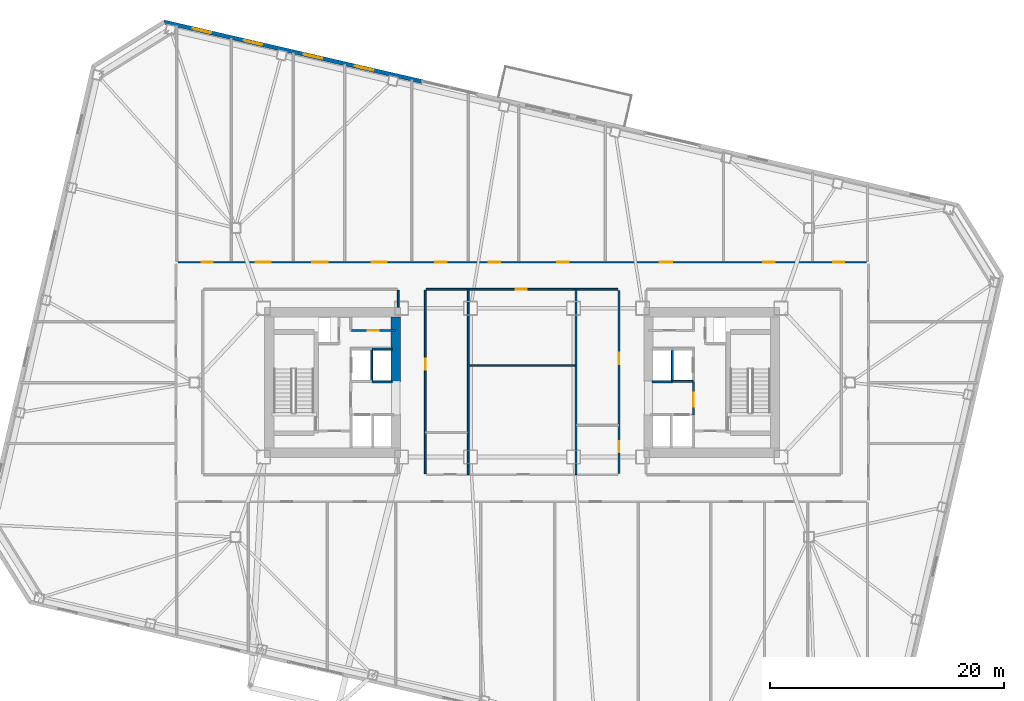
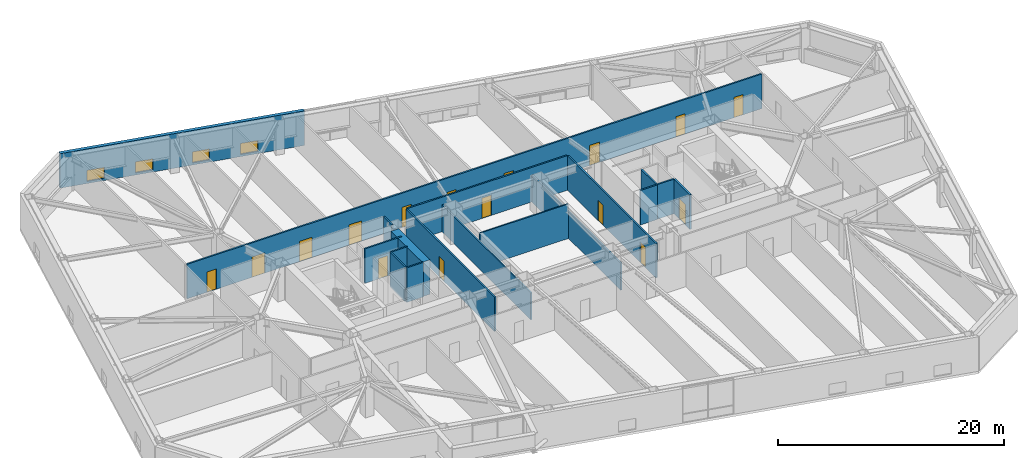
# One storey, part 12 of 20: 18 walls, 16 doors, 4 windows, 20 openings.
"""IFC4 building model written with IfcOpenShell, lengths in metres."""

from ifc_helpers import new_model, si_unit, direction, frame, frame_2d, origin, place, context, subcontext, project, spatial, rectangle, extrude, material, layer, layer_set, type_object, element, fill, save


model = new_model("IFC4")

# Units and contexts
model_context = context("Model", 3, precision=1e-05, world=origin(), true_north=direction((0.0, 1.0)))
body_context = subcontext(model_context, "Body", "Model", "MODEL_VIEW")
ifc_project = project(units=[si_unit("LENGTHUNIT", "METRE"), si_unit("AREAUNIT", "SQUARE_METRE"), si_unit("VOLUMEUNIT", "CUBIC_METRE"), si_unit("PLANEANGLEUNIT", "RADIAN"), si_unit("MASSUNIT", "GRAM", prefix="KILO")], contexts=[model_context])

# Site, building, storey
site_placement = place(None, origin())
site = spatial("IfcSite", under=ifc_project, at=site_placement, CompositionType="ELEMENT")
building_placement = place(site_placement, origin())
building = spatial("IfcBuilding", under=site, at=building_placement, Name="Tavrogorsk Clinical Tower", CompositionType="ELEMENT")
storey_placement = place(building_placement, frame((0.0, 0.0, 39.39990234375)))
storey = spatial("IfcBuildingStorey", under=building, at=storey_placement, Name="L07", CompositionType="ELEMENT", Elevation=39.39990234375)

# Wall, opening, door
ifc_material_1 = material(Name="Concrete B60", Category="concrete")
ifc_layer_1 = layer(ifc_material_1, 0.199951171875)
ifc_layer_set_1 = layer_set([ifc_layer_1], Name="Concrete B60")
wall_type_1 = type_object("IfcWallType", Name="CoreFireWall_200", PredefinedType="SOLIDWALL", material=ifc_layer_set_1)
wall_1_placement = place(storey_placement, frame((14.639892578125, -2.780029296875, 0.0), z_axis=(0.0, 0.0, 1.0), x_axis=(0.0, 1.0, 0.0)))
wall_1 = element("IfcWall", 1, at=wall_1_placement, inside=storey, type_object=wall_type_1, Name="L07 Core East Firefighting Lobby Fire Wall", PredefinedType="SOLIDWALL", context=body_context, shape_type="SweptSolid", body=[
    extrude(rectangle(XDim=2.820068359375, YDim=0.199951171875, at=frame_2d((1.41015625, 0.0))), origin(), (0.0, 0.0, 1.0), 3.739990234375),
])
opening_1_placement = place(wall_1_placement, frame((0.72998046875, 0.0, 0.0)))
opening_1 = element("IfcOpeningElement", 2, at=opening_1_placement, cuts=wall_1, Name="Opening FD-01", PredefinedType="OPENING", context=body_context, shape_type="SweptSolid", body=[
    extrude(rectangle(XDim=1.199951171875, YDim=2.199951171875, at=frame_2d((0.60009765625, 1.10009765625))), frame((0.0, 0.10986328125, 0.0), z_axis=(0.0, -1.0, 0.0), x_axis=(1.0, 0.0, 0.0)), (0.0, 0.0, 1.0), 0.219970703125),
])
ifc_material_2 = material(Name="Galvanised steel fire-rated door assembly", Category="steel")
door_type_1 = type_object("IfcDoorType", Name="FireDoor_FD01_1200", OperationType="NOTDEFINED", PredefinedType="DOOR", material=ifc_material_2)
door_1_placement = place(opening_1_placement, origin())
door_1 = element("IfcDoor", 3, at=door_1_placement, inside=storey, type_object=door_type_1, Name="L07 Core East Firefighting Lobby Entry Door", OperationType="SINGLE_SWING_RIGHT", OverallHeight=2.199951171875, OverallWidth=1.199951171875, PredefinedType="DOOR", context=body_context, shape_type="SweptSolid", body=[
    extrude(rectangle(XDim=1.199951171875, YDim=2.199951171875, at=frame_2d((0.60009765625, 1.10009765625))), frame((0.0, 0.02490234375, 0.0), z_axis=(0.0, -1.0, 0.0), x_axis=(1.0, 0.0, 0.0)), (0.0, 0.0, 1.0), 0.050048828125),
])
fill(opening_1, door_1)

# Walls
ifc_material_3 = material(Name="Lightweight concrete blockwork B15", Category="masonry")
ifc_layer_2 = layer(ifc_material_3, 0.139892578125)
ifc_layer_set_2 = layer_set([ifc_layer_2], Name="Lightweight concrete blockwork B15")
wall_type_2 = type_object("IfcWallType", Name="PartitionWall_140", PredefinedType="PARTITIONING", material=ifc_layer_set_2)
for number, where, z_axis, x_axis, name in (
    (4, (-4.60009765625, -7.864990234375, 0.0), (0.0, 0.0, 1.0), (0.0, 1.0, 0.0), "L07 Central Spine Partition 1"),
    (5, (4.60009765625, -7.864990234375, 0.0), (0.0, 0.0, 1.0), (0.0, 1.0, 0.0), "L07 Central Spine Partition 2"),
):
    element("IfcWall", number, at=place(storey_placement, frame(where, z_axis=z_axis, x_axis=x_axis)), inside=storey, type_object=wall_type_2, Name=name, PredefinedType="PARTITIONING", context=body_context, shape_type="SweptSolid", body=[
        extrude(rectangle(XDim=15.830078125, YDim=0.139892578125, at=frame_2d((7.9150390625, 0.0))), origin(), (0.0, 0.0, 1.0), 2.93505859375),
    ])
wall_2_placement = place(storey_placement, frame((-4.52490234375, 1.449951171875, 0.0), z_axis=(0.0, 0.0, 1.0), x_axis=(1.0, 0.0, 0.0)))
element("IfcWall", 6, at=wall_2_placement, inside=storey, type_object=wall_type_2, Name="L07 Central Spine Partition 3", PredefinedType="PARTITIONING", context=body_context, shape_type="SweptSolid", body=[
    extrude(rectangle(XDim=9.0498046875, YDim=0.139892578125, at=frame_2d((4.52490234375, 0.0))), origin(), (0.0, 0.0, 1.0), 3.739990234375),
])

# Wall, opening, door
ifc_material_4 = material(Name="Lightweight concrete blockwork B15", Category="masonry")
ifc_layer_3 = layer(ifc_material_4, 0.159912109375)
ifc_layer_set_3 = layer_set([ifc_layer_3], Name="Lightweight concrete blockwork B15")
wall_type_3 = type_object("IfcWallType", Name="PartitionWall_160", PredefinedType="PARTITIONING", material=ifc_layer_set_3)
wall_3_placement = place(storey_placement, frame((-14.554931640625, 4.4599609375, 0.0), z_axis=(0.0, 0.0, 1.0), x_axis=(1.0, 0.0, 0.0)))
wall_3 = element("IfcWall", 7, at=wall_3_placement, inside=storey, type_object=wall_type_3, Name="L07 Core West Pneumatic Dispatch South Wall", PredefinedType="PARTITIONING", context=body_context, shape_type="SweptSolid", body=[
    extrude(rectangle(XDim=3.7548828125, YDim=0.159912109375, at=frame_2d((1.87744140625, 0.0))), origin(), (0.0, 0.0, 1.0), 3.739990234375),
])
opening_2_placement = place(wall_3_placement, frame((1.35009765625, 0.0, 0.0)))
opening_2 = element("IfcOpeningElement", 8, at=opening_2_placement, cuts=wall_3, Name="Opening ID-02", PredefinedType="OPENING", context=body_context, shape_type="SweptSolid", body=[
    extrude(rectangle(XDim=0.949951171875, YDim=2.199951171875, at=frame_2d((0.47509765625, 1.10009765625))), frame((0.0, 0.08984375, 0.0), z_axis=(0.0, -1.0, 0.0), x_axis=(1.0, 0.0, 0.0)), (0.0, 0.0, 1.0), 0.179931640625),
])
ifc_material_5 = material(Name="Laminated timber leaf on aluminium frame", Category="wood")
door_type_2 = type_object("IfcDoorType", Name="InteriorDoor_ID02_950", OperationType="NOTDEFINED", PredefinedType="DOOR", material=ifc_material_5)
door_2_placement = place(opening_2_placement, origin())
door_2 = element("IfcDoor", 9, at=door_2_placement, inside=storey, type_object=door_type_2, Name="L07 Core West Pneumatic Dispatch Door", OperationType="SINGLE_SWING_LEFT", OverallHeight=2.199951171875, OverallWidth=0.949951171875, PredefinedType="DOOR", context=body_context, shape_type="SweptSolid", body=[
    extrude(rectangle(XDim=0.949951171875, YDim=2.199951171875, at=frame_2d((0.47509765625, 1.10009765625))), frame((0.0, 0.02490234375, 0.0), z_axis=(0.0, -1.0, 0.0), x_axis=(1.0, 0.0, 0.0)), (0.0, 0.0, 1.0), 0.050048828125),
])
fill(opening_2, door_2)

# Wall, openings, doors
wall_4_placement = place(storey_placement, frame((-29.4150390625, 10.280029296875, 0.0), z_axis=(0.0, 0.0, 1.0), x_axis=(1.0, 0.0, 0.0)))
wall_4 = element("IfcWall", 10, at=wall_4_placement, inside=storey, type_object=wall_type_3, Name="L07 Corridor Partition 02", PredefinedType="PARTITIONING", context=body_context, shape_type="SweptSolid", body=[
    extrude(rectangle(XDim=58.830078125, YDim=0.159912109375, at=frame_2d((29.4150390625, 0.0))), origin(), (0.0, 0.0, 1.0), 3.739990234375),
])
opening_3_placement = place(wall_4_placement, frame((2.044189453125, 0.0, 0.0)))
opening_3 = element("IfcOpeningElement", 11, at=opening_3_placement, cuts=wall_4, Name="Opening ID-02", PredefinedType="OPENING", context=body_context, shape_type="SweptSolid", body=[
    extrude(rectangle(XDim=0.949951171875, YDim=2.199951171875, at=frame_2d((0.47509765625, 1.10009765625))), frame((0.0, 0.08984375, 0.0), z_axis=(0.0, -1.0, 0.0), x_axis=(1.0, 0.0, 0.0)), (0.0, 0.0, 1.0), 0.179931640625),
])
opening_4_placement = place(wall_4_placement, frame((6.6474609375, 0.0, 0.0)))
opening_4 = element("IfcOpeningElement", 12, at=opening_4_placement, cuts=wall_4, Name="Opening ID-01", PredefinedType="OPENING", context=body_context, shape_type="SweptSolid", body=[
    extrude(rectangle(XDim=1.300048828125, YDim=2.199951171875, at=frame_2d((0.64990234375, 1.10009765625))), frame((0.0, 0.08984375, 0.0), z_axis=(0.0, -1.0, 0.0), x_axis=(1.0, 0.0, 0.0)), (0.0, 0.0, 1.0), 0.179931640625),
])
opening_5_placement = place(wall_4_placement, frame((11.492431640625, 0.0, 0.0)))
opening_5 = element("IfcOpeningElement", 13, at=opening_5_placement, cuts=wall_4, Name="Opening ID-01", PredefinedType="OPENING", context=body_context, shape_type="SweptSolid", body=[
    extrude(rectangle(XDim=1.300048828125, YDim=2.199951171875, at=frame_2d((0.64990234375, 1.10009765625))), frame((0.0, 0.08984375, 0.0), z_axis=(0.0, -1.0, 0.0), x_axis=(1.0, 0.0, 0.0)), (0.0, 0.0, 1.0), 0.179931640625),
])
opening_6_placement = place(wall_4_placement, frame((16.554931640625, 0.0, 0.0)))
opening_6 = element("IfcOpeningElement", 14, at=opening_6_placement, cuts=wall_4, Name="Opening ID-01", PredefinedType="OPENING", context=body_context, shape_type="SweptSolid", body=[
    extrude(rectangle(XDim=1.300048828125, YDim=2.199951171875, at=frame_2d((0.64990234375, 1.10009765625))), frame((0.0, 0.08984375, 0.0), z_axis=(0.0, -1.0, 0.0), x_axis=(1.0, 0.0, 0.0)), (0.0, 0.0, 1.0), 0.179931640625),
])
opening_7_placement = place(wall_4_placement, frame((22.010009765625, 0.0, 0.0)))
opening_7 = element("IfcOpeningElement", 15, at=opening_7_placement, cuts=wall_4, Name="Opening ID-02", PredefinedType="OPENING", context=body_context, shape_type="SweptSolid", body=[
    extrude(rectangle(XDim=0.949951171875, YDim=2.199951171875, at=frame_2d((0.47509765625, 1.10009765625))), frame((0.0, 0.08984375, 0.0), z_axis=(0.0, -1.0, 0.0), x_axis=(1.0, 0.0, 0.0)), (0.0, 0.0, 1.0), 0.179931640625),
])
opening_8_placement = place(wall_4_placement, frame((26.580078125, 0.0, 0.0)))
opening_8 = element("IfcOpeningElement", 16, at=opening_8_placement, cuts=wall_4, Name="Opening ID-02", PredefinedType="OPENING", context=body_context, shape_type="SweptSolid", body=[
    extrude(rectangle(XDim=0.949951171875, YDim=2.199951171875, at=frame_2d((0.47509765625, 1.10009765625))), frame((0.0, 0.08984375, 0.0), z_axis=(0.0, -1.0, 0.0), x_axis=(1.0, 0.0, 0.0)), (0.0, 0.0, 1.0), 0.179931640625),
])
opening_9_placement = place(wall_4_placement, frame((32.43505859375, 0.0, 0.0)))
opening_9 = element("IfcOpeningElement", 17, at=opening_9_placement, cuts=wall_4, Name="Opening ID-02", PredefinedType="OPENING", context=body_context, shape_type="SweptSolid", body=[
    extrude(rectangle(XDim=0.949951171875, YDim=2.199951171875, at=frame_2d((0.47509765625, 1.10009765625))), frame((0.0, 0.08984375, 0.0), z_axis=(0.0, -1.0, 0.0), x_axis=(1.0, 0.0, 0.0)), (0.0, 0.0, 1.0), 0.179931640625),
])
opening_10_placement = place(wall_4_placement, frame((41.179931640625, 0.0, 0.0)))
opening_10 = element("IfcOpeningElement", 18, at=opening_10_placement, cuts=wall_4, Name="Opening ID-04", PredefinedType="OPENING", context=body_context, shape_type="SweptSolid", body=[
    extrude(rectangle(XDim=1.050048828125, YDim=2.199951171875, at=frame_2d((0.52490234375, 1.10009765625))), frame((0.0, 0.08984375, 0.0), z_axis=(0.0, -1.0, 0.0), x_axis=(1.0, 0.0, 0.0)), (0.0, 0.0, 1.0), 0.179931640625),
])
opening_11_placement = place(wall_4_placement, frame((50.02490234375, 0.0, 0.0)))
opening_11 = element("IfcOpeningElement", 19, at=opening_11_placement, cuts=wall_4, Name="Opening ID-02", PredefinedType="OPENING", context=body_context, shape_type="SweptSolid", body=[
    extrude(rectangle(XDim=0.949951171875, YDim=2.199951171875, at=frame_2d((0.47509765625, 1.10009765625))), frame((0.0, 0.08984375, 0.0), z_axis=(0.0, -1.0, 0.0), x_axis=(1.0, 0.0, 0.0)), (0.0, 0.0, 1.0), 0.179931640625),
])
opening_12_placement = place(wall_4_placement, frame((55.98095703125, 0.0, 0.0)))
opening_12 = element("IfcOpeningElement", 20, at=opening_12_placement, cuts=wall_4, Name="Opening ID-02", PredefinedType="OPENING", context=body_context, shape_type="SweptSolid", body=[
    extrude(rectangle(XDim=0.949951171875, YDim=2.199951171875, at=frame_2d((0.47509765625, 1.10009765625))), frame((0.0, 0.08984375, 0.0), z_axis=(0.0, -1.0, 0.0), x_axis=(1.0, 0.0, 0.0)), (0.0, 0.0, 1.0), 0.179931640625),
])
ifc_material_6 = material(Name="Antibacterial HPL consultation door on aluminium frame", Category="aluminium")
door_type_3 = type_object("IfcDoorType", Name="ConsultDoor_ID04_1050", OperationType="NOTDEFINED", PredefinedType="DOOR", material=ifc_material_6)
door_3_placement = place(opening_10_placement, origin())
door_3 = element("IfcDoor", 21, at=door_3_placement, inside=storey, type_object=door_type_3, Name="L07 North Clinical Examination Suite 06 Door", OperationType="SINGLE_SWING_RIGHT", OverallHeight=2.199951171875, OverallWidth=1.050048828125, PredefinedType="DOOR", context=body_context, shape_type="SweptSolid", body=[
    extrude(rectangle(XDim=1.050048828125, YDim=2.199951171875, at=frame_2d((0.52490234375, 1.10009765625))), frame((0.0, 0.02490234375, 0.0), z_axis=(0.0, -1.0, 0.0), x_axis=(1.0, 0.0, 0.0)), (0.0, 0.0, 1.0), 0.050048828125),
])
fill(opening_10, door_3)
door_4_placement = place(opening_3_placement, origin())
door_4 = element("IfcDoor", 22, at=door_4_placement, inside=storey, type_object=door_type_2, Name="L07 North Patient & Family Quiet Lounge 01 Door", OperationType="SINGLE_SWING_LEFT", OverallHeight=2.199951171875, OverallWidth=0.949951171875, PredefinedType="DOOR", context=body_context, shape_type="SweptSolid", body=[
    extrude(rectangle(XDim=0.949951171875, YDim=2.199951171875, at=frame_2d((0.47509765625, 1.10009765625))), frame((0.0, 0.02490234375, 0.0), z_axis=(0.0, -1.0, 0.0), x_axis=(1.0, 0.0, 0.0)), (0.0, 0.0, 1.0), 0.050048828125),
])
fill(opening_3, door_4)
door_5_placement = place(opening_7_placement, origin())
door_5 = element("IfcDoor", 23, at=door_5_placement, inside=storey, type_object=door_type_2, Name="L07 North Physician Consultation Office 03B Door", OperationType="SINGLE_SWING_LEFT", OverallHeight=2.199951171875, OverallWidth=0.949951171875, PredefinedType="DOOR", context=body_context, shape_type="SweptSolid", body=[
    extrude(rectangle(XDim=0.949951171875, YDim=2.199951171875, at=frame_2d((0.47509765625, 1.10009765625))), frame((0.0, 0.02490234375, 0.0), z_axis=(0.0, -1.0, 0.0), x_axis=(1.0, 0.0, 0.0)), (0.0, 0.0, 1.0), 0.050048828125),
])
fill(opening_7, door_5)
door_6_placement = place(opening_8_placement, origin())
door_6 = element("IfcDoor", 24, at=door_6_placement, inside=storey, type_object=door_type_2, Name="L07 North Multidisciplinary Case Room 04 Door", OperationType="SINGLE_SWING_RIGHT", OverallHeight=2.199951171875, OverallWidth=0.949951171875, PredefinedType="DOOR", context=body_context, shape_type="SweptSolid", body=[
    extrude(rectangle(XDim=0.949951171875, YDim=2.199951171875, at=frame_2d((0.47509765625, 1.10009765625))), frame((0.0, 0.02490234375, 0.0), z_axis=(0.0, -1.0, 0.0), x_axis=(1.0, 0.0, 0.0)), (0.0, 0.0, 1.0), 0.050048828125),
])
fill(opening_8, door_6)
door_7_placement = place(opening_9_placement, origin())
door_7 = element("IfcDoor", 25, at=door_7_placement, inside=storey, type_object=door_type_2, Name="L07 Terrace Recuperation Day Room & Lounge Door", OperationType="SINGLE_SWING_LEFT", OverallHeight=2.199951171875, OverallWidth=0.949951171875, PredefinedType="DOOR", context=body_context, shape_type="SweptSolid", body=[
    extrude(rectangle(XDim=0.949951171875, YDim=2.199951171875, at=frame_2d((0.47509765625, 1.10009765625))), frame((0.0, 0.02490234375, 0.0), z_axis=(0.0, -1.0, 0.0), x_axis=(1.0, 0.0, 0.0)), (0.0, 0.0, 1.0), 0.050048828125),
])
fill(opening_9, door_7)
door_8_placement = place(opening_11_placement, origin())
door_8 = element("IfcDoor", 26, at=door_8_placement, inside=storey, type_object=door_type_2, Name="L07 North Diagnostic Ultrasound Suite 07 Door", OperationType="SINGLE_SWING_LEFT", OverallHeight=2.199951171875, OverallWidth=0.949951171875, PredefinedType="DOOR", context=body_context, shape_type="SweptSolid", body=[
    extrude(rectangle(XDim=0.949951171875, YDim=2.199951171875, at=frame_2d((0.47509765625, 1.10009765625))), frame((0.0, 0.02490234375, 0.0), z_axis=(0.0, -1.0, 0.0), x_axis=(1.0, 0.0, 0.0)), (0.0, 0.0, 1.0), 0.050048828125),
])
fill(opening_11, door_8)
door_9_placement = place(opening_12_placement, origin())
door_9 = element("IfcDoor", 27, at=door_9_placement, inside=storey, type_object=door_type_2, Name="L07 North Physiotherapy Rehab Studio 08 Door", OperationType="SINGLE_SWING_RIGHT", OverallHeight=2.199951171875, OverallWidth=0.949951171875, PredefinedType="DOOR", context=body_context, shape_type="SweptSolid", body=[
    extrude(rectangle(XDim=0.949951171875, YDim=2.199951171875, at=frame_2d((0.47509765625, 1.10009765625))), frame((0.0, 0.02490234375, 0.0), z_axis=(0.0, -1.0, 0.0), x_axis=(1.0, 0.0, 0.0)), (0.0, 0.0, 1.0), 0.050048828125),
])
fill(opening_12, door_9)
ifc_material_7 = material(Name="Antibacterial HPL medical leaf on aluminium frame", Category="aluminium")
door_type_4 = type_object("IfcDoorType", Name="WardBedDoor_ID01_1300", OperationType="NOTDEFINED", PredefinedType="DOOR", material=ifc_material_7)
door_10_placement = place(opening_4_placement, origin())
door_10 = element("IfcDoor", 28, at=door_10_placement, inside=storey, type_object=door_type_4, Name="L07 North Acute Isolation Suite 02A Door", OperationType="SINGLE_SWING_RIGHT", OverallHeight=2.199951171875, OverallWidth=1.300048828125, PredefinedType="DOOR", context=body_context, shape_type="SweptSolid", body=[
    extrude(rectangle(XDim=1.300048828125, YDim=2.199951171875, at=frame_2d((0.64990234375, 1.10009765625))), frame((0.0, 0.02490234375, 0.0), z_axis=(0.0, -1.0, 0.0), x_axis=(1.0, 0.0, 0.0)), (0.0, 0.0, 1.0), 0.050048828125),
])
fill(opening_4, door_10)
door_11_placement = place(opening_5_placement, origin())
door_11 = element("IfcDoor", 29, at=door_11_placement, inside=storey, type_object=door_type_4, Name="L07 North Step-Down Telemetry Ward 02B Door", OperationType="SINGLE_SWING_LEFT", OverallHeight=2.199951171875, OverallWidth=1.300048828125, PredefinedType="DOOR", context=body_context, shape_type="SweptSolid", body=[
    extrude(rectangle(XDim=1.300048828125, YDim=2.199951171875, at=frame_2d((0.64990234375, 1.10009765625))), frame((0.0, 0.02490234375, 0.0), z_axis=(0.0, -1.0, 0.0), x_axis=(1.0, 0.0, 0.0)), (0.0, 0.0, 1.0), 0.050048828125),
])
fill(opening_5, door_11)
door_12_placement = place(opening_6_placement, origin())
door_12 = element("IfcDoor", 30, at=door_12_placement, inside=storey, type_object=door_type_4, Name="L07 North Sub-Acute Recovery Ward 03A Door", OperationType="SINGLE_SWING_RIGHT", OverallHeight=2.199951171875, OverallWidth=1.300048828125, PredefinedType="DOOR", context=body_context, shape_type="SweptSolid", body=[
    extrude(rectangle(XDim=1.300048828125, YDim=2.199951171875, at=frame_2d((0.64990234375, 1.10009765625))), frame((0.0, 0.02490234375, 0.0), z_axis=(0.0, -1.0, 0.0), x_axis=(1.0, 0.0, 0.0)), (0.0, 0.0, 1.0), 0.050048828125),
])
fill(opening_6, door_12)

wall_5_placement = place(storey_placement, frame((8.27001953125, -7.784912109375, 0.0), z_axis=(0.0, 0.0, 1.0), x_axis=(0.0, 1.0, 0.0)))
wall_5 = element("IfcWall", 31, at=wall_5_placement, inside=storey, type_object=wall_type_3, Name="L07 Corridor Partition 10", PredefinedType="PARTITIONING", context=body_context, shape_type="SweptSolid", body=[
    extrude(rectangle(XDim=15.669921875, YDim=0.159912109375, at=frame_2d((7.8349609375, 0.0))), origin(), (0.0, 0.0, 1.0), 3.739990234375),
])
opening_13_placement = place(wall_5_placement, frame((1.8291015625, 0.0, 0.0)))
opening_13 = element("IfcOpeningElement", 32, at=opening_13_placement, cuts=wall_5, Name="Opening ID-02", PredefinedType="OPENING", context=body_context, shape_type="SweptSolid", body=[
    extrude(rectangle(XDim=0.949951171875, YDim=2.199951171875, at=frame_2d((0.47509765625, 1.10009765625))), frame((0.0, 0.08984375, 0.0), z_axis=(0.0, -1.0, 0.0), x_axis=(1.0, 0.0, 0.0)), (0.0, 0.0, 1.0), 0.179931640625),
])
opening_14_placement = place(wall_5_placement, frame((9.36083984375, 0.0, 0.0)))
opening_14 = element("IfcOpeningElement", 33, at=opening_14_placement, cuts=wall_5, Name="Opening ID-02", PredefinedType="OPENING", context=body_context, shape_type="SweptSolid", body=[
    extrude(rectangle(XDim=0.949951171875, YDim=2.199951171875, at=frame_2d((0.47509765625, 1.10009765625))), frame((0.0, 0.08984375, 0.0), z_axis=(0.0, -1.0, 0.0), x_axis=(1.0, 0.0, 0.0)), (0.0, 0.0, 1.0), 0.179931640625),
])
door_13_placement = place(opening_13_placement, origin())
door_13 = element("IfcDoor", 34, at=door_13_placement, inside=storey, type_object=door_type_2, Name="L07 Staff & Visitor Accessible WC Door", OperationType="SINGLE_SWING_LEFT", OverallHeight=2.199951171875, OverallWidth=0.949951171875, PredefinedType="DOOR", context=body_context, shape_type="SweptSolid", body=[
    extrude(rectangle(XDim=0.949951171875, YDim=2.199951171875, at=frame_2d((0.47509765625, 1.10009765625))), frame((0.0, 0.02490234375, 0.0), z_axis=(0.0, -1.0, 0.0), x_axis=(1.0, 0.0, 0.0)), (0.0, 0.0, 1.0), 0.050048828125),
])
fill(opening_13, door_13)
door_14_placement = place(opening_14_placement, origin())
door_14 = element("IfcDoor", 35, at=door_14_placement, inside=storey, type_object=door_type_2, Name="L07 Attending Physician Office Door", OperationType="SINGLE_SWING_RIGHT", OverallHeight=2.199951171875, OverallWidth=0.949951171875, PredefinedType="DOOR", context=body_context, shape_type="SweptSolid", body=[
    extrude(rectangle(XDim=0.949951171875, YDim=2.199951171875, at=frame_2d((0.47509765625, 1.10009765625))), frame((0.0, 0.02490234375, 0.0), z_axis=(0.0, -1.0, 0.0), x_axis=(1.0, 0.0, 0.0)), (0.0, 0.0, 1.0), 0.050048828125),
])
fill(opening_14, door_14)

# Wall, opening, door
wall_6_placement = place(storey_placement, frame((8.18505859375, 7.969970703125, 0.0), z_axis=(0.0, 0.0, 1.0), x_axis=(-1.0, 0.0, 0.0)))
wall_6 = element("IfcWall", 36, at=wall_6_placement, inside=storey, type_object=wall_type_3, Name="L07 Corridor Partition 11", PredefinedType="PARTITIONING", context=body_context, shape_type="SweptSolid", body=[
    extrude(rectangle(XDim=16.3701171875, YDim=0.159912109375, at=frame_2d((8.18505859375, 0.0))), origin(), (0.0, 0.0, 1.0), 3.739990234375),
])
opening_15_placement = place(wall_6_placement, frame((7.794921875, 0.0, 0.0)))
opening_15 = element("IfcOpeningElement", 37, at=opening_15_placement, cuts=wall_6, Name="Opening ID-02", PredefinedType="OPENING", context=body_context, shape_type="SweptSolid", body=[
    extrude(rectangle(XDim=0.949951171875, YDim=2.199951171875, at=frame_2d((0.47509765625, 1.10009765625))), frame((0.0, 0.08984375, 0.0), z_axis=(0.0, -1.0, 0.0), x_axis=(1.0, 0.0, 0.0)), (0.0, 0.0, 1.0), 0.179931640625),
])
door_15_placement = place(opening_15_placement, origin())
door_15 = element("IfcDoor", 38, at=door_15_placement, inside=storey, type_object=door_type_2, Name="L07 Nurses' Station & Triage Hub Door", OperationType="SINGLE_SWING_RIGHT", OverallHeight=2.199951171875, OverallWidth=0.949951171875, PredefinedType="DOOR", context=body_context, shape_type="SweptSolid", body=[
    extrude(rectangle(XDim=0.949951171875, YDim=2.199951171875, at=frame_2d((0.47509765625, 1.10009765625))), frame((0.0, 0.02490234375, 0.0), z_axis=(0.0, -1.0, 0.0), x_axis=(1.0, 0.0, 0.0)), (0.0, 0.0, 1.0), 0.050048828125),
])
fill(opening_15, door_15)

wall_7_placement = place(storey_placement, frame((-8.27001953125, 7.885009765625, 0.0), z_axis=(0.0, 0.0, 1.0), x_axis=(0.0, -1.0, 0.0)))
wall_7 = element("IfcWall", 39, at=wall_7_placement, inside=storey, type_object=wall_type_3, Name="L07 Corridor Partition 12", PredefinedType="PARTITIONING", context=body_context, shape_type="SweptSolid", body=[
    extrude(rectangle(XDim=15.669921875, YDim=0.159912109375, at=frame_2d((7.8349609375, 0.0))), origin(), (0.0, 0.0, 1.0), 3.739990234375),
])
opening_16_placement = place(wall_7_placement, frame((5.8291015625, 0.0, 0.0)))
opening_16 = element("IfcOpeningElement", 40, at=opening_16_placement, cuts=wall_7, Name="Opening ID-02", PredefinedType="OPENING", context=body_context, shape_type="SweptSolid", body=[
    extrude(rectangle(XDim=0.949951171875, YDim=2.199951171875, at=frame_2d((0.47509765625, 1.10009765625))), frame((0.0, 0.08984375, 0.0), z_axis=(0.0, -1.0, 0.0), x_axis=(1.0, 0.0, 0.0)), (0.0, 0.0, 1.0), 0.179931640625),
])
door_16_placement = place(opening_16_placement, origin())
door_16 = element("IfcDoor", 41, at=door_16_placement, inside=storey, type_object=door_type_2, Name="L07 Ward Nourishment Pantry Door", OperationType="SINGLE_SWING_RIGHT", OverallHeight=2.199951171875, OverallWidth=0.949951171875, PredefinedType="DOOR", context=body_context, shape_type="SweptSolid", body=[
    extrude(rectangle(XDim=0.949951171875, YDim=2.199951171875, at=frame_2d((0.47509765625, 1.10009765625))), frame((0.0, 0.02490234375, 0.0), z_axis=(0.0, -1.0, 0.0), x_axis=(1.0, 0.0, 0.0)), (0.0, 0.0, 1.0), 0.050048828125),
])
fill(opening_16, door_16)

# Wall
wall_8_placement = place(storey_placement, frame((-10.580078125, 6.419921875, 0.0), z_axis=(0.0, 0.0, 1.0), x_axis=(0.0, 1.0, 0.0)))
element("IfcWall", 42, at=wall_8_placement, inside=storey, type_object=wall_type_3, Name="L07 Corridor Partition 15", PredefinedType="PARTITIONING", context=body_context, shape_type="SweptSolid", body=[
    extrude(rectangle(XDim=1.465087890625, YDim=0.159912109375, at=frame_2d((0.732421875, 0.0))), origin(), (0.0, 0.0, 1.0), 3.739990234375),
])

# Wall, openings, windows
ifc_material_8 = material(Name="Precast concrete B45 with limestone cladding", Category="masonry")
ifc_layer_4 = layer(ifc_material_8, 0.340087890625)
ifc_layer_set_4 = layer_set([ifc_layer_4], Name="Precast concrete B45 with limestone cladding")
wall_type_4 = type_object("IfcWallType", Name="PrecastLimestoneWall_340", PredefinedType="STANDARD", material=ifc_layer_set_4)
wall_9_placement = place(storey_placement, frame((-8.5166015625, 25.711181640625, 0.0), z_axis=(0.0, 0.0, 1.0), x_axis=(-0.974372845456, 0.224939009598, 0.0)))
wall_9 = element("IfcWall", 43, at=wall_9_placement, inside=storey, type_object=wall_type_4, Name="L07 N Limestone Facade Wall 3", PredefinedType="STANDARD", context=body_context, shape_type="SweptSolid", body=[
    extrude(rectangle(XDim=22.651611328125, YDim=0.340087890625, at=frame_2d((11.32568359375, 0.0))), origin(), (0.0, 0.0, 1.0), 3.739990234375),
])
opening_17_placement = place(wall_9_placement, frame((18.539306640625, 0.0, 0.219970703125)))
opening_17 = element("IfcOpeningElement", 44, at=opening_17_placement, cuts=wall_9, Name="Opening WN-09", PredefinedType="OPENING", context=body_context, shape_type="SweptSolid", body=[
    extrude(rectangle(XDim=1.60009765625, YDim=1.199951171875, at=frame_2d((0.800048828125, 0.60009765625))), frame((0.0, 0.179931640625, 0.0), z_axis=(0.0, -1.0, 0.0), x_axis=(1.0, 0.0, 0.0)), (0.0, 0.0, 1.0), 0.360107421875),
])
opening_18_placement = place(wall_9_placement, frame((14.054931640625, 0.0, 0.219970703125)))
opening_18 = element("IfcOpeningElement", 45, at=opening_18_placement, cuts=wall_9, Name="Opening WN-09", PredefinedType="OPENING", context=body_context, shape_type="SweptSolid", body=[
    extrude(rectangle(XDim=1.60009765625, YDim=1.199951171875, at=frame_2d((0.800048828125, 0.60009765625))), frame((0.0, 0.179931640625, 0.0), z_axis=(0.0, -1.0, 0.0), x_axis=(1.0, 0.0, 0.0)), (0.0, 0.0, 1.0), 0.360107421875),
])
opening_19_placement = place(wall_9_placement, frame((8.790771484375, 0.0, 0.219970703125)))
opening_19 = element("IfcOpeningElement", 46, at=opening_19_placement, cuts=wall_9, Name="Opening WN-09", PredefinedType="OPENING", context=body_context, shape_type="SweptSolid", body=[
    extrude(rectangle(XDim=1.60009765625, YDim=1.199951171875, at=frame_2d((0.800048828125, 0.60009765625))), frame((0.0, 0.179931640625, 0.0), z_axis=(0.0, -1.0, 0.0), x_axis=(1.0, 0.0, 0.0)), (0.0, 0.0, 1.0), 0.360107421875),
])
opening_20_placement = place(wall_9_placement, frame((4.306396484375, 0.0, 0.219970703125)))
opening_20 = element("IfcOpeningElement", 47, at=opening_20_placement, cuts=wall_9, Name="Opening WN-09", PredefinedType="OPENING", context=body_context, shape_type="SweptSolid", body=[
    extrude(rectangle(XDim=1.60009765625, YDim=1.199951171875, at=frame_2d((0.800048828125, 0.60009765625))), frame((0.0, 0.179931640625, 0.0), z_axis=(0.0, -1.0, 0.0), x_axis=(1.0, 0.0, 0.0)), (0.0, 0.0, 1.0), 0.360107421875),
])
ifc_material_9 = material(Name="Thermally broken aluminium frame and triple IGU", Category="aluminium")
window_type = type_object("IfcWindowType", Name="LowHeadTransWin_1600x1200", PartitioningType="DOUBLE_PANEL_VERTICAL", PredefinedType="WINDOW", material=ifc_material_9)
window_1_placement = place(opening_17_placement, origin())
window_1 = element("IfcWindow", 48, at=window_1_placement, inside=storey, type_object=window_type, Name="L07 N Chicago Window 01", OverallHeight=1.199951171875, OverallWidth=1.60009765625, PartitioningType="SINGLE_PANEL", PredefinedType="WINDOW", context=body_context, shape_type="SweptSolid", body=[
    extrude(rectangle(XDim=1.60009765625, YDim=1.199951171875, at=frame_2d((0.800048828125, 0.60009765625))), frame((0.0, 0.030029296875, 0.0), z_axis=(0.0, -1.0, 0.0), x_axis=(1.0, 0.0, 0.0)), (0.0, 0.0, 1.0), 0.06005859375),
])
fill(opening_17, window_1)
window_2_placement = place(opening_18_placement, origin())
window_2 = element("IfcWindow", 49, at=window_2_placement, inside=storey, type_object=window_type, Name="L07 N Chicago Window 02", OverallHeight=1.199951171875, OverallWidth=1.60009765625, PartitioningType="SINGLE_PANEL", PredefinedType="WINDOW", context=body_context, shape_type="SweptSolid", body=[
    extrude(rectangle(XDim=1.60009765625, YDim=1.199951171875, at=frame_2d((0.800048828125, 0.60009765625))), frame((0.0, 0.030029296875, 0.0), z_axis=(0.0, -1.0, 0.0), x_axis=(1.0, 0.0, 0.0)), (0.0, 0.0, 1.0), 0.06005859375),
])
fill(opening_18, window_2)
window_3_placement = place(opening_19_placement, origin())
window_3 = element("IfcWindow", 50, at=window_3_placement, inside=storey, type_object=window_type, Name="L07 N Chicago Window 03", OverallHeight=1.199951171875, OverallWidth=1.60009765625, PartitioningType="SINGLE_PANEL", PredefinedType="WINDOW", context=body_context, shape_type="SweptSolid", body=[
    extrude(rectangle(XDim=1.60009765625, YDim=1.199951171875, at=frame_2d((0.800048828125, 0.60009765625))), frame((0.0, 0.030029296875, 0.0), z_axis=(0.0, -1.0, 0.0), x_axis=(1.0, 0.0, 0.0)), (0.0, 0.0, 1.0), 0.06005859375),
])
fill(opening_19, window_3)
window_4_placement = place(opening_20_placement, origin())
window_4 = element("IfcWindow", 51, at=window_4_placement, inside=storey, type_object=window_type, Name="L07 N Chicago Window 04", OverallHeight=1.199951171875, OverallWidth=1.60009765625, PartitioningType="SINGLE_PANEL", PredefinedType="WINDOW", context=body_context, shape_type="SweptSolid", body=[
    extrude(rectangle(XDim=1.60009765625, YDim=1.199951171875, at=frame_2d((0.800048828125, 0.60009765625))), frame((0.0, 0.030029296875, 0.0), z_axis=(0.0, -1.0, 0.0), x_axis=(1.0, 0.0, 0.0)), (0.0, 0.0, 1.0), 0.06005859375),
])
fill(opening_20, window_4)

# Walls
ifc_material_10 = material(Name="Lightweight concrete blockwork B25", Category="masonry")
ifc_layer_5 = layer(ifc_material_10, 0.159912109375)
ifc_layer_set_5 = layer_set([ifc_layer_5], Name="Lightweight concrete blockwork B25")
wall_type_5 = type_object("IfcWallType", Name="ShaftWall_160", PredefinedType="PARTITIONING", material=ifc_layer_set_5)
wall_10_placement = place(storey_placement, frame((-12.840087890625, 0.179931640625, 0.0), z_axis=(0.0, 0.0, 1.0), x_axis=(0.0, 1.0, 0.0)))
element("IfcWall", 52, at=wall_10_placement, inside=storey, type_object=wall_type_5, Name="L07 FFL-W Shaft Back Wall", PredefinedType="PARTITIONING", context=body_context, shape_type="SweptSolid", body=[
    extrude(rectangle(XDim=2.6201171875, YDim=0.159912109375, at=frame_2d((1.31005859375, 0.0))), origin(), (0.0, 0.0, 1.0), 3.739990234375),
])
for number, where, z_axis, x_axis, name in (
    (53, (-12.820068359375, 0.06005859375, 0.0), (0.0, 0.0, 1.0), (1.0, 0.0, 0.0), "L07 LP-H1 High-Zone Lift Portal Wall"),
    (54, (-12.820068359375, 2.860107421875, 0.0), (0.0, 0.0, 1.0), (1.0, 0.0, 0.0), "L07 LP-H1 High-Zone Lift Rear Wall"),
):
    element("IfcWall", number, at=place(storey_placement, frame(where, z_axis=z_axis, x_axis=x_axis)), inside=storey, type_object=wall_type_5, Name=name, PredefinedType="PARTITIONING", context=body_context, shape_type="SweptSolid", body=[
        extrude(rectangle(XDim=1.719970703125, YDim=0.159912109375, at=frame_2d((0.85986328125, 0.0))), origin(), (0.0, 0.0, 1.0), 3.739990234375),
    ])
wall_11_placement = place(storey_placement, frame((12.840087890625, 0.10009765625, 0.0), z_axis=(0.0, 0.0, 1.0), x_axis=(1.0, 0.0, 0.0)))
element("IfcWall", 55, at=wall_11_placement, inside=storey, type_object=wall_type_5, Name="L07 FFL-E Shaft South Wall", PredefinedType="PARTITIONING", context=body_context, shape_type="SweptSolid", body=[
    extrude(rectangle(XDim=1.760009765625, YDim=0.159912109375, at=frame_2d((0.8798828125, 0.0))), origin(), (0.0, 0.0, 1.0), 3.739990234375),
])
wall_12_placement = place(storey_placement, frame((12.840087890625, 0.179931640625, 0.0), z_axis=(0.0, 0.0, 1.0), x_axis=(0.0, 1.0, 0.0)))
element("IfcWall", 56, at=wall_12_placement, inside=storey, type_object=wall_type_5, Name="L07 FFL-E Shaft Back Wall", PredefinedType="PARTITIONING", context=body_context, shape_type="SweptSolid", body=[
    extrude(rectangle(XDim=2.6201171875, YDim=0.159912109375, at=frame_2d((1.31005859375, 0.0))), origin(), (0.0, 0.0, 1.0), 3.739990234375),
])
wall_13_placement = place(storey_placement, frame((11.10009765625, 0.06005859375, 0.0), z_axis=(0.0, 0.0, 1.0), x_axis=(1.0, 0.0, 0.0)))
element("IfcWall", 57, at=wall_13_placement, inside=storey, type_object=wall_type_5, Name="L07 LP-H2 High-Zone Lift Portal Wall", PredefinedType="PARTITIONING", context=body_context, shape_type="SweptSolid", body=[
    extrude(rectangle(XDim=1.719970703125, YDim=0.159912109375, at=frame_2d((0.85986328125, 0.0))), origin(), (0.0, 0.0, 1.0), 3.739990234375),
])
ifc_material_11 = material(Name="Concrete B80", Category="concrete")
ifc_layer_6 = layer(ifc_material_11, 0.800048828125)
ifc_layer_set_6 = layer_set([ifc_layer_6], Name="Concrete B80")
wall_type_6 = type_object("IfcWallType", Name="ShearWall_800", PredefinedType="SHEAR", material=ifc_layer_set_6)
wall_14_placement = place(storey_placement, frame((-10.800048828125, 0.050048828125, 0.0), z_axis=(0.0, 0.0, 1.0), x_axis=(0.0, 1.0, 0.0)))
element("IfcWall", 58, at=wall_14_placement, inside=storey, type_object=wall_type_6, Name="L07 Core West Inner North Pier", PredefinedType="SHEAR", context=body_context, shape_type="SweptSolid", body=[
    extrude(rectangle(XDim=5.550048828125, YDim=0.800048828125, at=frame_2d((2.77490234375, 0.0))), origin(), (0.0, 0.0, 1.0), 3.739990234375),
])

save(model, "model.ifc")
